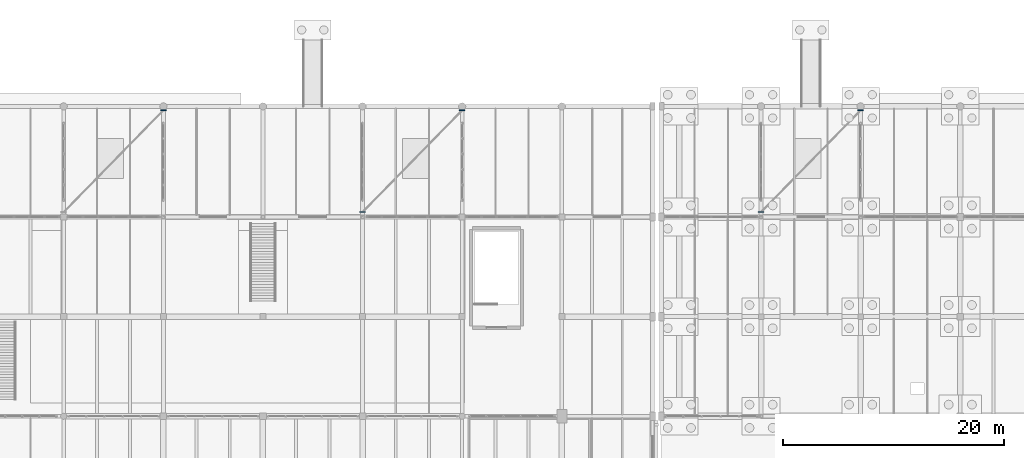
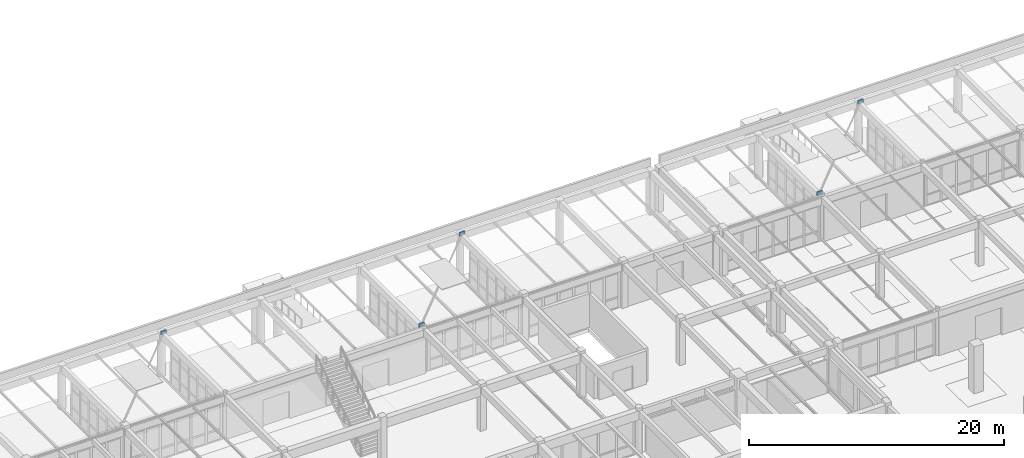
# One storey, part 157 of 186: 5 plates.
"""IFC4 building model written with IfcOpenShell, lengths in metres."""

from ifc_helpers import new_model, si_unit, direction, frame, origin, origin_2d, place, context, subcontext, project, spatial, rectangle, extrude, material, layer, layer_set, type_object, element, save


model = new_model("IFC4")

# Units and contexts
model_context = context("Model", 3, precision=1e-05, world=origin(), true_north=direction((0.0, 1.0)))
body_context = subcontext(model_context, "Body", "Model", "MODEL_VIEW")
ifc_project = project(units=[si_unit("LENGTHUNIT", "METRE"), si_unit("AREAUNIT", "SQUARE_METRE"), si_unit("VOLUMEUNIT", "CUBIC_METRE"), si_unit("PLANEANGLEUNIT", "RADIAN"), si_unit("MASSUNIT", "GRAM", prefix="KILO")], contexts=[model_context])

# Site, building, storey
site_placement = place(None, origin())
site = spatial("IfcSite", under=ifc_project, at=site_placement, CompositionType="ELEMENT")
building_placement = place(site_placement, origin())
building = spatial("IfcBuilding", under=site, at=building_placement, Name="Ornek Quay Market", CompositionType="ELEMENT")
storey_placement = place(building_placement, origin())
storey = spatial("IfcBuildingStorey", under=building, at=storey_placement, Name="L00", CompositionType="ELEMENT", Elevation=0.0)

# Plates
ifc_material = material(Name="Steel S355", Category="steel")
ifc_layer = layer(ifc_material, 0.02001953125, Name="Steel S355", Category="steel")
ifc_layer_set = layer_set([ifc_layer], Name="Steel S355")
plate_type = type_object("IfcPlateType", Name="PL-FLG-500x350x20", PredefinedType="USERDEFINED", material=ifc_layer_set)
for number, where, z_axis, x_axis, name in (
    (1, (81.0, 119.64990234375, 4.0849609375), (0.0, 0.0, 1.0), (1.0, 0.0, 0.0), "Quay brace end plate QP-032"),
    (2, (99.0, 110.449951171875, 4.0849609375), (0.0, 0.0, 1.0), (1.0, 0.0, 0.0), "Quay brace end plate QP-041"),
    (3, (108.0, 119.64990234375, 4.0849609375), (0.0, 0.0, 1.0), (1.0, 0.0, 0.0), "Quay brace end plate QP-042"),
    (4, (135.0, 110.449951171875, 4.0849609375), (0.0, 0.0, 1.0), (1.0, 0.0, 0.0), "Quay brace end plate QP-051"),
    (5, (144.0, 119.64990234375, 4.0849609375), (0.0, 0.0, 1.0), (1.0, 0.0, 0.0), "Quay brace end plate QP-052"),
):
    element("IfcPlate", number, at=place(storey_placement, frame(where, z_axis=z_axis, x_axis=x_axis)), inside=storey, type_object=plate_type, Name=name, ObjectType="FLANGE PLATE", PredefinedType="USERDEFINED", context=body_context, shape_type="SweptSolid", body=[
        extrude(rectangle(XDim=0.5, YDim=0.080078125, at=origin_2d()), origin(), (0.0, 0.0, 1.0), 0.35009765625),
    ])

save(model, "model.ifc")
